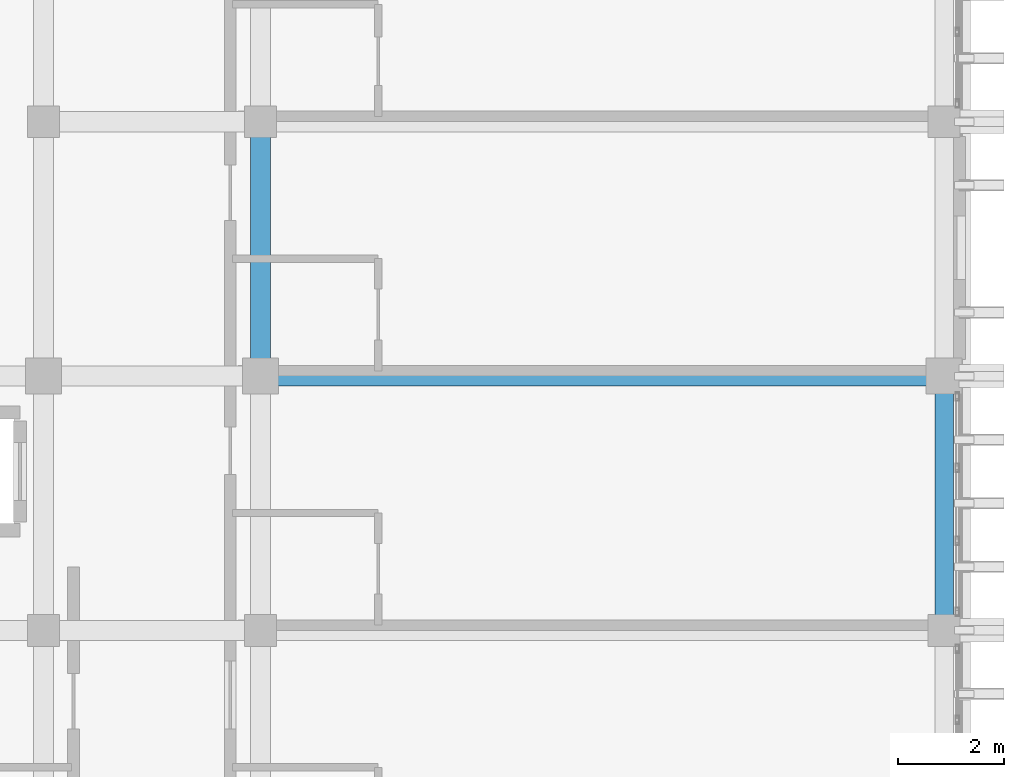
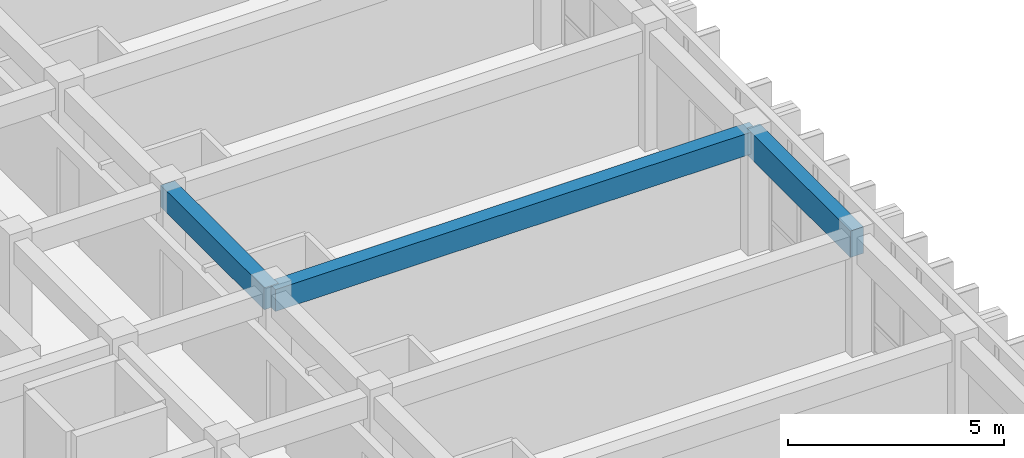
# One storey, part 15 of 53: 3 beams.
"""IFC4 building model written with IfcOpenShell, lengths in metres."""

from ifc_helpers import new_model, si_unit, direction, frame, origin, origin_2d, place, context, subcontext, project, spatial, rectangle, extrude, material, material_profile, profile_set, type_object, element, save


model = new_model("IFC4")

# Units and contexts
model_context = context("Model", 3, precision=1e-05, world=origin(), true_north=direction((0.0, 1.0)))
body_context = subcontext(model_context, "Body", "Model", "MODEL_VIEW")
ifc_project = project(units=[si_unit("LENGTHUNIT", "METRE"), si_unit("AREAUNIT", "SQUARE_METRE"), si_unit("VOLUMEUNIT", "CUBIC_METRE"), si_unit("PLANEANGLEUNIT", "RADIAN"), si_unit("MASSUNIT", "GRAM", prefix="KILO")], contexts=[model_context])

# Site, building, storey
site_placement = place(None, origin())
site = spatial("IfcSite", under=ifc_project, at=site_placement, CompositionType="ELEMENT")
building_placement = place(site_placement, origin())
building = spatial("IfcBuilding", under=site, at=building_placement, Name="Nakhvara Creek Congress Hotel", CompositionType="ELEMENT")
storey_placement = place(building_placement, frame((0.0, 0.0, 35.39990234375)))
storey = spatial("IfcBuildingStorey", under=building, at=storey_placement, Name="L08", CompositionType="ELEMENT", Elevation=35.39990234375)

# Beams
ifc_material = material(Name="Concrete C40/50", Category="concrete")
ifc_material_profile_1 = material_profile(ifc_material, rectangle(XDim=0.3798828125, YDim=0.6201171875, at=origin_2d()), Name="RC-BM 380x620", Category="LoadBearing")
ifc_profile_set_1 = profile_set([ifc_material_profile_1], Name="Concrete C40/50")
beam_type_1 = type_object("IfcBeamType", Name="BM-RC-380X620", PredefinedType="BEAM", material=ifc_profile_set_1)
beam_1_placement = place(storey_placement, frame((166.449951171875, 76.800048828125, 3.050048828125), z_axis=(1.0, 0.0, 0.0), x_axis=(0.0, 1.0, 0.0)))
element("IfcBeam", 1, at=beam_1_placement, inside=storey, type_object=beam_type_1, Name="Beam B10-L08-2479", PredefinedType="BEAM", context=body_context, shape_type="SweptSolid", body=[
    extrude(rectangle(XDim=0.3798828125, YDim=0.6201171875, at=origin_2d()), origin(), (0.0, 0.0, 1.0), 12.900146484375),
])
beam_2_placement = place(storey_placement, frame((166.449951171875, 76.800048828125, 3.050048828125), z_axis=(0.0, 1.0, 0.0), x_axis=(-1.0, 0.0, 0.0)))
element("IfcBeam", 2, at=beam_2_placement, inside=storey, type_object=beam_type_1, Name="Beam B10-L08-2481", PredefinedType="BEAM", context=body_context, shape_type="SweptSolid", body=[
    extrude(rectangle(XDim=0.3798828125, YDim=0.6201171875, at=origin_2d()), origin(), (0.0, 0.0, 1.0), 4.800048828125),
])
ifc_material_profile_2 = material_profile(ifc_material, rectangle(XDim=0.35009765625, YDim=0.75, at=origin_2d()), Name="RC-SPANDREL 350x750", Category="LoadBearing")
ifc_profile_set_2 = profile_set([ifc_material_profile_2], Name="Concrete C40/50")
beam_type_2 = type_object("IfcBeamType", Name="BM-SPN-350X750", PredefinedType="SPANDREL", material=ifc_profile_set_2)
beam_3_placement = place(storey_placement, frame((179.35009765625, 72.0, 2.985107421875), z_axis=(0.0, 1.0, 0.0), x_axis=(-1.0, 0.0, 0.0)))
element("IfcBeam", 3, at=beam_3_placement, inside=storey, type_object=beam_type_2, Name="Beam SP1-L08-2500", PredefinedType="SPANDREL", context=body_context, shape_type="SweptSolid", body=[
    extrude(rectangle(XDim=0.35009765625, YDim=0.75, at=origin_2d()), origin(), (0.0, 0.0, 1.0), 4.800048828125),
])

save(model, "model.ifc")
